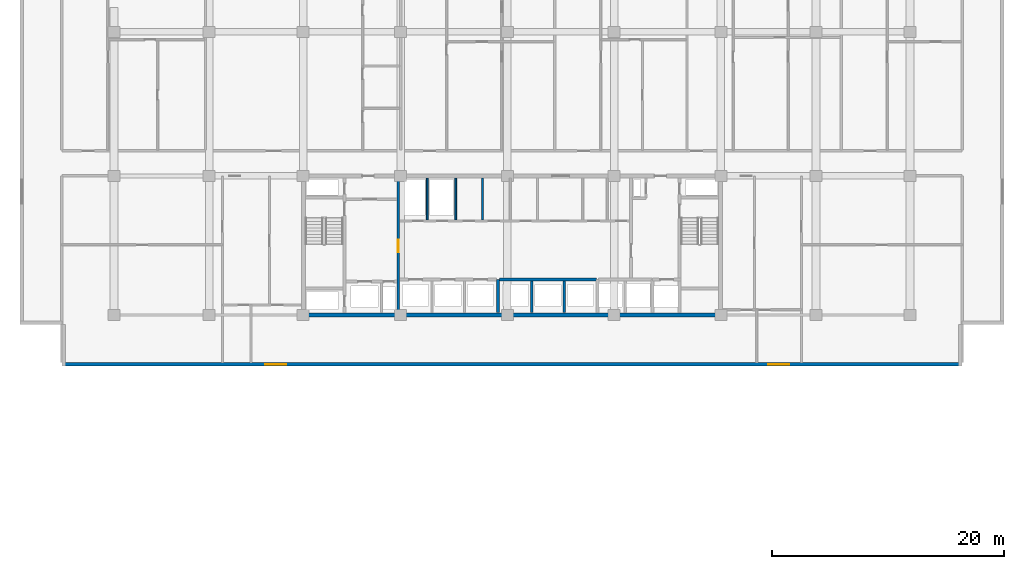
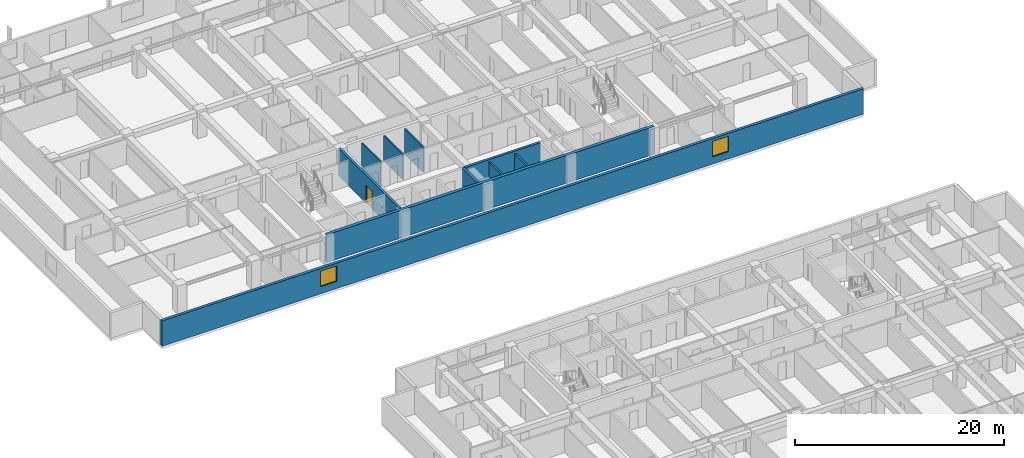
# One storey, part 11 of 23: 10 walls, 2 windows, 1 door, 3 openings.
"""IFC4 building model written with IfcOpenShell, lengths in metres."""

from ifc_helpers import new_model, si_unit, direction, frame, frame_2d, origin, place, context, subcontext, project, spatial, rectangle, extrude, material, layer, layer_set, type_object, element, fill, save


model = new_model("IFC4")

# Units and contexts
model_context = context("Model", 3, precision=1e-05, world=origin(), true_north=direction((0.0, 1.0)))
body_context = subcontext(model_context, "Body", "Model", "MODEL_VIEW")
ifc_project = project(units=[si_unit("LENGTHUNIT", "METRE"), si_unit("AREAUNIT", "SQUARE_METRE"), si_unit("VOLUMEUNIT", "CUBIC_METRE"), si_unit("PLANEANGLEUNIT", "RADIAN"), si_unit("MASSUNIT", "GRAM", prefix="KILO")], contexts=[model_context])

# Site, building, storey
site_placement = place(None, origin())
site = spatial("IfcSite", under=ifc_project, at=site_placement, CompositionType="ELEMENT")
building_placement = place(site_placement, origin())
building = spatial("IfcBuilding", under=site, at=building_placement, Name="Korimba Cascade Residences", CompositionType="ELEMENT")
storey_placement = place(building_placement, frame((0.0, 0.0, 40.25)))
storey = spatial("IfcBuildingStorey", under=building, at=storey_placement, Name="L10", CompositionType="ELEMENT", Elevation=40.25)

# Wall, openings, windows
ifc_material_1 = material(Name="Precast concrete C40/50", Category="concrete")
ifc_layer_1 = layer(ifc_material_1, 0.300048828125)
ifc_layer_set_1 = layer_set([ifc_layer_1], Name="Precast concrete C40/50")
wall_type_1 = type_object("IfcWallType", Name="EW-STONE-300", PredefinedType="STANDARD", material=ifc_layer_set_1)
wall_1_placement = place(storey_placement, frame((55.300048828125, 50.949951171875, 0.0), z_axis=(0.0, 0.0, 1.0), x_axis=(1.0, 0.0, 0.0)))
wall_1 = element("IfcWall", 1, at=wall_1_placement, inside=storey, type_object=wall_type_1, Name="L10 T1 Perimeter Stone Wall E00", PredefinedType="STANDARD", context=body_context, shape_type="SweptSolid", body=[
    extrude(rectangle(XDim=77.599853515625, YDim=0.300048828125, at=frame_2d((38.7998046875, 0.0))), origin(), (0.0, 0.0, 1.0), 2.969970703125),
])
opening_1_placement = place(wall_1_placement, frame((17.52490234375, 0.0, 0.85009765625)))
opening_1 = element("IfcOpeningElement", 2, at=opening_1_placement, cuts=wall_1, Name="Opening W-02", PredefinedType="OPENING", context=body_context, shape_type="SweptSolid", body=[
    extrude(rectangle(XDim=1.800048828125, YDim=1.800048828125, at=frame_2d((0.89990234375, 0.89990234375))), frame((0.0, 0.16015625, 0.0), z_axis=(0.0, -1.0, 0.0), x_axis=(1.0, 0.0, 0.0)), (0.0, 0.0, 1.0), 0.320068359375),
])
opening_2_placement = place(wall_1_placement, frame((60.875, 0.0, 0.85009765625)))
opening_2 = element("IfcOpeningElement", 3, at=opening_2_placement, cuts=wall_1, Name="Opening W-02", PredefinedType="OPENING", context=body_context, shape_type="SweptSolid", body=[
    extrude(rectangle(XDim=1.800048828125, YDim=1.800048828125, at=frame_2d((0.89990234375, 0.89990234375))), frame((0.0, 0.16015625, 0.0), z_axis=(0.0, -1.0, 0.0), x_axis=(1.0, 0.0, 0.0)), (0.0, 0.0, 1.0), 0.320068359375),
])
ifc_material_2 = material(Name="Double-Glazed Aluminium Window", Category="aluminium")
window_type = type_object("IfcWindowType", Name="WIN-BED-1800", PartitioningType="SINGLE_PANEL", PredefinedType="WINDOW", material=ifc_material_2)
window_1_placement = place(opening_1_placement, origin())
window_1 = element("IfcWindow", 4, at=window_1_placement, inside=storey, type_object=window_type, Name="L10 T1 South Corner Bedroom Window 1", OverallHeight=1.800048828125, OverallWidth=1.800048828125, PartitioningType="SINGLE_PANEL", PredefinedType="WINDOW", context=body_context, shape_type="SweptSolid", body=[
    extrude(rectangle(XDim=1.800048828125, YDim=1.800048828125, at=frame_2d((0.89990234375, 0.89990234375))), frame((0.0, 0.030029296875, 0.0), z_axis=(0.0, -1.0, 0.0), x_axis=(1.0, 0.0, 0.0)), (0.0, 0.0, 1.0), 0.06005859375),
])
fill(opening_1, window_1)
window_2_placement = place(opening_2_placement, origin())
window_2 = element("IfcWindow", 5, at=window_2_placement, inside=storey, type_object=window_type, Name="L10 T1 South Corner Bedroom Window 2", OverallHeight=1.800048828125, OverallWidth=1.800048828125, PartitioningType="SINGLE_PANEL", PredefinedType="WINDOW", context=body_context, shape_type="SweptSolid", body=[
    extrude(rectangle(XDim=1.800048828125, YDim=1.800048828125, at=frame_2d((0.89990234375, 0.89990234375))), frame((0.0, 0.030029296875, 0.0), z_axis=(0.0, -1.0, 0.0), x_axis=(1.0, 0.0, 0.0)), (0.0, 0.0, 1.0), 0.06005859375),
])
fill(opening_2, window_2)

# Walls
ifc_material_3 = material(Name="Concrete C65/80", Category="concrete")
ifc_layer_2 = layer(ifc_material_3, 0.35009765625)
ifc_layer_set_2 = layer_set([ifc_layer_2], Name="Concrete C65/80")
wall_type_2 = type_object("IfcWallType", Name="WAL-CORE-350", PredefinedType="SHEAR", material=ifc_layer_set_2)
wall_2_placement = place(storey_placement, frame((75.949951171875, 55.199951171875, 0.0), z_axis=(0.0, 0.0, 1.0), x_axis=(1.0, 0.0, 0.0)))
element("IfcWall", 6, at=wall_2_placement, inside=storey, type_object=wall_type_2, Name="L10 Core Shear Wall CW-L10-T1-S", PredefinedType="SHEAR", context=body_context, shape_type="SweptSolid", body=[
    extrude(rectangle(XDim=36.300048828125, YDim=0.35009765625, at=frame_2d((18.14990234375, 0.0))), origin(), (0.0, 0.0, 1.0), 3.25),
])
ifc_material_4 = material(Name="Insulated Acoustic Stud Partition", Category="gypsum")
ifc_layer_3 = layer(ifc_material_4, 0.14990234375)
ifc_layer_set_3 = layer_set([ifc_layer_3], Name="Insulated Acoustic Stud Partition")
wall_type_3 = type_object("IfcWallType", Name="WAL-PART-150", PredefinedType="PARTITIONING", material=ifc_layer_set_3)
for number, where, z_axis, x_axis, name in (
    (7, (86.800048828125, 63.39990234375, 0.0), (0.0, 0.0, 1.0), (0.0, 1.0, 0.0), "L10 Partition Wall CW-L10-T1-ERDIV"),
    (8, (89.25, 63.39990234375, 0.0), (0.0, 0.0, 1.0), (0.0, 1.0, 0.0), "L10 Partition Wall CW-L10-T1-PRDIV"),
    (9, (91.550048828125, 63.39990234375, 0.0), (0.0, 0.0, 1.0), (0.0, 1.0, 0.0), "L10 Partition Wall CW-L10-T1-CA1W1"),
):
    element("IfcWall", number, at=place(storey_placement, frame(where, z_axis=z_axis, x_axis=x_axis)), inside=storey, type_object=wall_type_3, Name=name, PredefinedType="PARTITIONING", context=body_context, shape_type="SweptSolid", body=[
        extrude(rectangle(XDim=3.60009765625, YDim=0.14990234375, at=frame_2d((1.800048828125, 0.0))), origin(), (0.0, 0.0, 1.0), 2.969970703125),
    ])
ifc_material_5 = material(Name="Concrete C40/50", Category="concrete")
ifc_layer_4 = layer(ifc_material_5, 0.199951171875)
ifc_layer_set_4 = layer_set([ifc_layer_4], Name="Concrete C40/50")
wall_type_4 = type_object("IfcWallType", Name="WAL-PART-200", PredefinedType="PARTITIONING", material=ifc_layer_set_4)
for number, where, z_axis, x_axis, name in (
    (10, (95.800048828125, 55.39990234375, 0.0), (0.0, 0.0, 1.0), (0.0, 1.0, 0.0), "L10 Partition Wall CW-L10-T1-B2D1"),
    (11, (98.60009765625, 55.39990234375, 0.0), (0.0, 0.0, 1.0), (0.0, 1.0, 0.0), "L10 Partition Wall CW-L10-T1-B2D2"),
):
    element("IfcWall", number, at=place(storey_placement, frame(where, z_axis=z_axis, x_axis=x_axis)), inside=storey, type_object=wall_type_4, Name=name, PredefinedType="PARTITIONING", context=body_context, shape_type="SweptSolid", body=[
        extrude(rectangle(XDim=2.72021484375, YDim=0.199951171875, at=frame_2d((1.360107421875, 0.0))), origin(), (0.0, 0.0, 1.0), 2.969970703125),
    ])

# Wall, opening, door
ifc_material_6 = material(Name="Concrete C50/60", Category="concrete")
ifc_layer_5 = layer(ifc_material_6, 0.25)
ifc_layer_set_5 = layer_set([ifc_layer_5], Name="Concrete C50/60")
wall_type_5 = type_object("IfcWallType", Name="WAL-SHAFT-250", PredefinedType="SHEAR", material=ifc_layer_set_5)
wall_3_placement = place(storey_placement, frame((84.300048828125, 55.39990234375, 0.0), z_axis=(0.0, 0.0, 1.0), x_axis=(0.0, 1.0, 0.0)))
wall_3 = element("IfcWall", 12, at=wall_3_placement, inside=storey, type_object=wall_type_5, Name="L10 Core Shear Wall CW-L10-T1-FFLE", PredefinedType="SHEAR", context=body_context, shape_type="SweptSolid", body=[
    extrude(rectangle(XDim=11.60009765625, YDim=0.25, at=frame_2d((5.800048828125, 0.0))), origin(), (0.0, 0.0, 1.0), 3.25),
])
opening_3_placement = place(wall_3_placement, frame((5.199951171875, 0.0, 0.0)))
opening_3 = element("IfcOpeningElement", 13, at=opening_3_placement, cuts=wall_3, Name="Opening D-FD1", PredefinedType="OPENING", context=body_context, shape_type="SweptSolid", body=[
    extrude(rectangle(XDim=1.10009765625, YDim=2.10009765625, at=frame_2d((0.550048828125, 1.050048828125))), frame((0.0, 0.135009765625, 0.0), z_axis=(0.0, -1.0, 0.0), x_axis=(1.0, 0.0, 0.0)), (0.0, 0.0, 1.0), 0.27001953125),
])
ifc_material_7 = material(Name="Fire-Rated Steel Core Door", Category="steel")
door_type = type_object("IfcDoorType", Name="DR-FD120-1100", OperationType="NOTDEFINED", PredefinedType="DOOR", material=ifc_material_7)
door_placement = place(opening_3_placement, origin())
door = element("IfcDoor", 14, at=door_placement, inside=storey, type_object=door_type, Name="L10 Firefighting Lobby to Lift Lobby Door", OperationType="SINGLE_SWING_RIGHT", OverallHeight=2.10009765625, OverallWidth=1.10009765625, PredefinedType="DOOR", context=body_context, shape_type="SweptSolid", body=[
    extrude(rectangle(XDim=1.10009765625, YDim=2.10009765625, at=frame_2d((0.550048828125, 1.050048828125))), frame((0.0, 0.02490234375, 0.0), z_axis=(0.0, -1.0, 0.0), x_axis=(1.0, 0.0, 0.0)), (0.0, 0.0, 1.0), 0.050048828125),
])
fill(opening_3, door)

# Walls
wall_4_placement = place(storey_placement, frame((92.89990234375, 55.39990234375, 0.0), z_axis=(0.0, 0.0, 1.0), x_axis=(0.0, 1.0, 0.0)))
element("IfcWall", 15, at=wall_4_placement, inside=storey, type_object=wall_type_5, Name="L10 Core Shear Wall CW-L10-T1-B12DIV", PredefinedType="SHEAR", context=body_context, shape_type="SweptSolid", body=[
    extrude(rectangle(XDim=2.85009765625, YDim=0.25, at=frame_2d((1.425048828125, 0.0))), origin(), (0.0, 0.0, 1.0), 3.25),
])
wall_5_placement = place(storey_placement, frame((93.02001953125, 58.25, 0.0), z_axis=(0.0, 0.0, 1.0), x_axis=(1.0, 0.0, 0.0)))
element("IfcWall", 16, at=wall_5_placement, inside=storey, type_object=wall_type_5, Name="L10 Core Shear Wall CW-L10-T1-B2N", PredefinedType="SHEAR", context=body_context, shape_type="SweptSolid", body=[
    extrude(rectangle(XDim=8.35986328125, YDim=0.25, at=frame_2d((4.179931640625, 0.0))), origin(), (0.0, 0.0, 1.0), 3.25),
])

save(model, "model.ifc")
